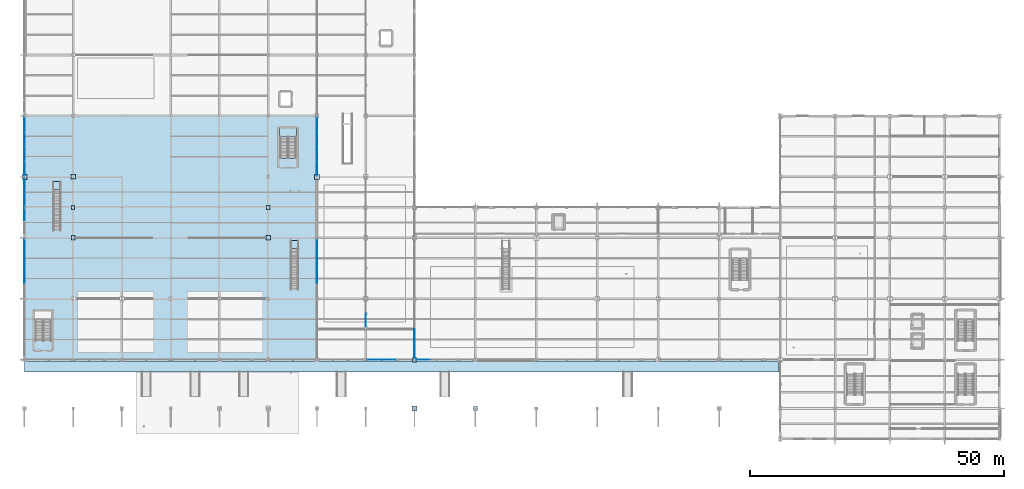
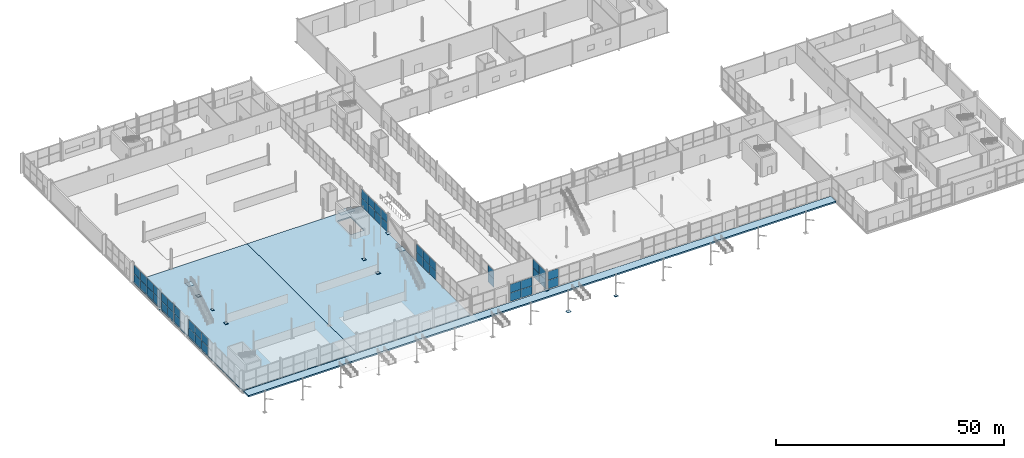
# One storey, part 146 of 196: 56 plates, 6 slabs, 12 elements without a shape of their own.
"""IFC4 building model written with IfcOpenShell, lengths in metres."""

from ifc_helpers import new_model, si_unit, direction, frame, origin, origin_2d, place, context, subcontext, project, spatial, polyline, rectangle, outline, extrude, material, layer, layer_set, type_object, element, aggregate, save


model = new_model("IFC4")

# Units and contexts
model_context = context("Model", 3, precision=1e-05, world=origin(), true_north=direction((0.0, 1.0)))
body_context = subcontext(model_context, "Body", "Model", "MODEL_VIEW")
ifc_project = project(units=[si_unit("LENGTHUNIT", "METRE"), si_unit("AREAUNIT", "SQUARE_METRE"), si_unit("VOLUMEUNIT", "CUBIC_METRE"), si_unit("PLANEANGLEUNIT", "RADIAN"), si_unit("MASSUNIT", "GRAM", prefix="KILO")], contexts=[model_context])

# Site, building, storey
site_placement = place(None, origin())
site = spatial("IfcSite", under=ifc_project, at=site_placement, CompositionType="ELEMENT")
building_placement = place(site_placement, origin())
building = spatial("IfcBuilding", under=site, at=building_placement, Name="Merenkruunu Market Hall", CompositionType="ELEMENT")
storey_placement = place(building_placement, origin())
storey = spatial("IfcBuildingStorey", under=building, at=storey_placement, Name="L00", CompositionType="ELEMENT", Elevation=0.0)

# Plates
ifc_material_1 = material(Name="Steel S355ML", Category="steel")
ifc_layer_1 = layer(ifc_material_1, 0.044921875)
ifc_layer_set_1 = layer_set([ifc_layer_1], Name="Steel S355ML")
plate_type_1 = type_object("IfcPlateType", Name="Column Base Plate BP01", PredefinedType="USERDEFINED", material=ifc_layer_set_1)
for number, where, z_axis, x_axis, name in (
    (1, (9.60009765625, 51.60009765625, 0.0), (0.0, 0.0, 1.0), (1.0, 0.0, 0.0), "PLT-BP-B-07"),
    (2, (48.0, 39.60009765625, 0.0), (0.0, 0.0, 1.0), (1.0, 0.0, 0.0), "PLT-BP-F-05"),
):
    element("IfcPlate", number, at=place(storey_placement, frame(where, z_axis=z_axis, x_axis=x_axis)), inside=storey, type_object=plate_type_1, Name=name, ObjectType="BASE_PLATE", PredefinedType="USERDEFINED", context=body_context, shape_type="SweptSolid", body=[
        extrude(rectangle(XDim=0.85009765625, YDim=0.85009765625, at=origin_2d()), origin(), (0.0, 0.0, 1.0), 0.044921875),
    ])
ifc_layer_2 = layer(ifc_material_1, 0.0400390625)
ifc_layer_set_2 = layer_set([ifc_layer_2], Name="Steel S355ML")
plate_type_2 = type_object("IfcPlateType", Name="Column Base Plate BP02", PredefinedType="USERDEFINED", material=ifc_layer_set_2)
for number, where, z_axis, x_axis, name in (
    (3, (48.0, 45.60009765625, 0.0), (0.0, 0.0, 1.0), (1.0, 0.0, 0.0), "PLT-BP-F-06"),
    (4, (88.800048828125, 6.0, 0.0), (0.0, 0.0, 1.0), (1.0, 0.0, 0.0), "PLT-BP-K-02"),
):
    element("IfcPlate", number, at=place(storey_placement, frame(where, z_axis=z_axis, x_axis=x_axis)), inside=storey, type_object=plate_type_2, Name=name, ObjectType="BASE_PLATE", PredefinedType="USERDEFINED", context=body_context, shape_type="SweptSolid", body=[
        extrude(rectangle(XDim=0.75, YDim=0.75, at=origin_2d()), origin(), (0.0, 0.0, 1.0), 0.0400390625),
    ])
ifc_layer_3 = layer(ifc_material_1, 0.050048828125)
ifc_layer_set_3 = layer_set([ifc_layer_3], Name="Steel S355ML")
plate_type_3 = type_object("IfcPlateType", Name="Column Base Plate BP06", PredefinedType="USERDEFINED", material=ifc_layer_set_3)
for number, where, z_axis, x_axis, name in (
    (5, (0.0, 51.60009765625, 0.0), (0.0, 0.0, 1.0), (1.0, 0.0, 0.0), "PLT-BP-A-07"),
    (6, (57.60009765625, 51.60009765625, 0.0), (0.0, 0.0, 1.0), (1.0, 0.0, 0.0), "PLT-BP-G-07"),
    (7, (76.800048828125, 6.0, 0.0), (0.0, 0.0, 1.0), (1.0, 0.0, 0.0), "PLT-BP-J-02"),
):
    element("IfcPlate", number, at=place(storey_placement, frame(where, z_axis=z_axis, x_axis=x_axis)), inside=storey, type_object=plate_type_3, Name=name, ObjectType="BASE_PLATE", PredefinedType="USERDEFINED", context=body_context, shape_type="SweptSolid", body=[
        extrude(rectangle(XDim=0.949951171875, YDim=0.949951171875, at=origin_2d()), origin(), (0.0, 0.0, 1.0), 0.050048828125),
    ])
ifc_layer_4 = layer(ifc_material_1, 0.0419921875)
ifc_layer_set_4 = layer_set([ifc_layer_4], Name="Steel S355ML")
plate_type_4 = type_object("IfcPlateType", Name="Column Base Plate BP07", PredefinedType="USERDEFINED", material=ifc_layer_set_4)
for number, where, z_axis, x_axis, name in (
    (8, (9.60009765625, 39.60009765625, 0.0), (0.0, 0.0, 1.0), (1.0, 0.0, 0.0), "PLT-BP-B-05"),
    (9, (76.800048828125, 15.60009765625, 0.0), (0.0, 0.0, 1.0), (1.0, 0.0, 0.0), "PLT-BP-J-03"),
):
    element("IfcPlate", number, at=place(storey_placement, frame(where, z_axis=z_axis, x_axis=x_axis)), inside=storey, type_object=plate_type_4, Name=name, ObjectType="BASE_PLATE", PredefinedType="USERDEFINED", context=body_context, shape_type="SweptSolid", body=[
        extrude(rectangle(XDim=0.699951171875, YDim=0.89990234375, at=origin_2d()), origin(), (0.0, 0.0, 1.0), 0.0419921875),
    ])
ifc_layer_5 = layer(ifc_material_1, 0.0380859375)
ifc_layer_set_5 = layer_set([ifc_layer_5], Name="Steel S355ML")
plate_type_5 = type_object("IfcPlateType", Name="Column Base Plate BP08", PredefinedType="USERDEFINED", material=ifc_layer_set_5)
plate_1_placement = place(storey_placement, frame((9.60009765625, 45.60009765625, 0.0), z_axis=(0.0, 0.0, 1.0), x_axis=(1.0, 0.0, 0.0)))
element("IfcPlate", 10, at=plate_1_placement, inside=storey, type_object=plate_type_5, Name="PLT-BP-B-06", ObjectType="BASE_PLATE", PredefinedType="USERDEFINED", context=body_context, shape_type="SweptSolid", body=[
    extrude(rectangle(XDim=0.60009765625, YDim=0.800048828125, at=origin_2d()), origin(), (0.0, 0.0, 1.0), 0.0380859375),
])

# Curtain wall, plates
ifc_material_2 = material(Name="Powder-coated aluminium", Category="aluminium")
curtain_wall_type_1 = type_object("IfcCurtainWallType", Name="Glazed Curtain Wall CW04", PredefinedType="USERDEFINED", material=ifc_material_2)
curtain_wall_1_placement = place(storey_placement, origin())
curtain_wall_1 = element("IfcCurtainWall", 11, at=curtain_wall_1_placement, inside=storey, type_object=curtain_wall_type_1, Name="CW-L00-CWM01-004", ObjectType="GLAZED_FACADE", PredefinedType="USERDEFINED")
ifc_material_3 = material(Name="Triple low-E insulated glass", Category="glass")
ifc_layer_6 = layer(ifc_material_3, 0.035888671875)
ifc_layer_set_6 = layer_set([ifc_layer_6], Name="Triple low-E insulated glass")
plate_type_6 = type_object("IfcPlateType", Name="Curtain Wall Glazing Panel CWP01", PredefinedType="CURTAIN_PANEL", material=ifc_layer_set_6)
plate_2_placement = place(storey_placement, frame((0.0, 32.169921875, 0.06005859375), z_axis=(0.0, 0.0, 1.0), x_axis=(0.0, 1.0, 0.0)))
plate_2 = element("IfcPlate", 12, at=plate_2_placement, type_object=plate_type_6, Name="CW04 panel 2.1", PredefinedType="CURTAIN_PANEL", context=body_context, shape_type="SweptSolid", body=[
    extrude(rectangle(XDim=2.800048828125, YDim=0.035888671875, at=origin_2d()), origin(), (0.0, 0.0, 1.0), 2.260009765625),
])
plate_3_placement = place(storey_placement, frame((0.0, 32.169921875, 2.3798828125), z_axis=(0.0, 0.0, 1.0), x_axis=(0.0, 1.0, 0.0)))
plate_3 = element("IfcPlate", 13, at=plate_3_placement, type_object=plate_type_6, Name="CW04 panel 2.2", PredefinedType="CURTAIN_PANEL", context=body_context, shape_type="SweptSolid", body=[
    extrude(rectangle(XDim=2.800048828125, YDim=0.035888671875, at=origin_2d()), origin(), (0.0, 0.0, 1.0), 2.260009765625),
])
plate_4_placement = place(storey_placement, frame((0.0, 35.030029296875, 0.06005859375), z_axis=(0.0, 0.0, 1.0), x_axis=(0.0, 1.0, 0.0)))
plate_4 = element("IfcPlate", 14, at=plate_4_placement, type_object=plate_type_6, Name="CW04 panel 3.1", PredefinedType="CURTAIN_PANEL", context=body_context, shape_type="SweptSolid", body=[
    extrude(rectangle(XDim=2.800048828125, YDim=0.035888671875, at=origin_2d()), origin(), (0.0, 0.0, 1.0), 2.260009765625),
])
plate_5_placement = place(storey_placement, frame((0.0, 35.030029296875, 2.3798828125), z_axis=(0.0, 0.0, 1.0), x_axis=(0.0, 1.0, 0.0)))
plate_5 = element("IfcPlate", 15, at=plate_5_placement, type_object=plate_type_6, Name="CW04 panel 3.2", PredefinedType="CURTAIN_PANEL", context=body_context, shape_type="SweptSolid", body=[
    extrude(rectangle(XDim=2.800048828125, YDim=0.035888671875, at=origin_2d()), origin(), (0.0, 0.0, 1.0), 2.260009765625),
])
plate_6_placement = place(storey_placement, frame((0.0, 37.875, 0.06005859375), z_axis=(0.0, 0.0, 1.0), x_axis=(0.0, 1.0, 0.0)))
plate_6 = element("IfcPlate", 16, at=plate_6_placement, type_object=plate_type_6, Name="CW04 panel 4.1", PredefinedType="CURTAIN_PANEL", context=body_context, shape_type="SweptSolid", body=[
    extrude(rectangle(XDim=2.77001953125, YDim=0.035888671875, at=origin_2d()), origin(), (0.0, 0.0, 1.0), 2.260009765625),
])
plate_7_placement = place(storey_placement, frame((0.0, 37.875, 2.3798828125), z_axis=(0.0, 0.0, 1.0), x_axis=(0.0, 1.0, 0.0)))
plate_7 = element("IfcPlate", 17, at=plate_7_placement, type_object=plate_type_6, Name="CW04 panel 4.2", PredefinedType="CURTAIN_PANEL", context=body_context, shape_type="SweptSolid", body=[
    extrude(rectangle(XDim=2.77001953125, YDim=0.035888671875, at=origin_2d()), origin(), (0.0, 0.0, 1.0), 2.260009765625),
])
aggregate(curtain_wall_1, [plate_2, plate_3, plate_4, plate_5, plate_6, plate_7])

curtain_wall_type_2 = type_object("IfcCurtainWallType", Name="Glazed Curtain Wall CW01", PredefinedType="USERDEFINED", material=ifc_material_2)
curtain_wall_2_placement = place(storey_placement, origin())
curtain_wall_2 = element("IfcCurtainWall", 18, at=curtain_wall_2_placement, inside=storey, type_object=curtain_wall_type_2, Name="CW-L00-CWM01-007", ObjectType="GLAZED_FACADE", PredefinedType="USERDEFINED")
plate_8_placement = place(storey_placement, frame((0.0, 44.443359375, 0.06005859375), z_axis=(0.0, 0.0, 1.0), x_axis=(0.0, 1.0, 0.0)))
plate_8 = element("IfcPlate", 19, at=plate_8_placement, type_object=plate_type_6, Name="CW01 panel 1.1", PredefinedType="CURTAIN_PANEL", context=body_context, shape_type="SweptSolid", body=[
    extrude(rectangle(XDim=2.666748046875, YDim=0.035888671875, at=origin_2d()), origin(), (0.0, 0.0, 1.0), 2.260009765625),
])
plate_9_placement = place(storey_placement, frame((0.0, 44.443359375, 2.3798828125), z_axis=(0.0, 0.0, 1.0), x_axis=(0.0, 1.0, 0.0)))
plate_9 = element("IfcPlate", 20, at=plate_9_placement, type_object=plate_type_6, Name="CW01 panel 1.2", PredefinedType="CURTAIN_PANEL", context=body_context, shape_type="SweptSolid", body=[
    extrude(rectangle(XDim=2.666748046875, YDim=0.035888671875, at=origin_2d()), origin(), (0.0, 0.0, 1.0), 2.260009765625),
])
plate_10_placement = place(storey_placement, frame((0.0, 47.18505859375, 0.06005859375), z_axis=(0.0, 0.0, 1.0), x_axis=(0.0, 1.0, 0.0)))
plate_10 = element("IfcPlate", 21, at=plate_10_placement, type_object=plate_type_6, Name="CW01 panel 2.1", PredefinedType="CURTAIN_PANEL", context=body_context, shape_type="SweptSolid", body=[
    extrude(rectangle(XDim=2.69677734375, YDim=0.035888671875, at=origin_2d()), origin(), (0.0, 0.0, 1.0), 2.260009765625),
])
plate_11_placement = place(storey_placement, frame((0.0, 47.18505859375, 2.3798828125), z_axis=(0.0, 0.0, 1.0), x_axis=(0.0, 1.0, 0.0)))
plate_11 = element("IfcPlate", 22, at=plate_11_placement, type_object=plate_type_6, Name="CW01 panel 2.2", PredefinedType="CURTAIN_PANEL", context=body_context, shape_type="SweptSolid", body=[
    extrude(rectangle(XDim=2.69677734375, YDim=0.035888671875, at=origin_2d()), origin(), (0.0, 0.0, 1.0), 2.260009765625),
])
plate_12_placement = place(storey_placement, frame((0.0, 49.9267578125, 0.06005859375), z_axis=(0.0, 0.0, 1.0), x_axis=(0.0, 1.0, 0.0)))
plate_12 = element("IfcPlate", 23, at=plate_12_placement, type_object=plate_type_6, Name="CW01 panel 3.1", PredefinedType="CURTAIN_PANEL", context=body_context, shape_type="SweptSolid", body=[
    extrude(rectangle(XDim=2.666748046875, YDim=0.035888671875, at=origin_2d()), origin(), (0.0, 0.0, 1.0), 2.260009765625),
])
plate_13_placement = place(storey_placement, frame((0.0, 49.9267578125, 2.3798828125), z_axis=(0.0, 0.0, 1.0), x_axis=(0.0, 1.0, 0.0)))
plate_13 = element("IfcPlate", 24, at=plate_13_placement, type_object=plate_type_6, Name="CW01 panel 3.2", PredefinedType="CURTAIN_PANEL", context=body_context, shape_type="SweptSolid", body=[
    extrude(rectangle(XDim=2.666748046875, YDim=0.035888671875, at=origin_2d()), origin(), (0.0, 0.0, 1.0), 2.260009765625),
])
aggregate(curtain_wall_2, [plate_8, plate_9, plate_10, plate_11, plate_12, plate_13])

curtain_wall_3_placement = place(storey_placement, origin())
curtain_wall_3 = element("IfcCurtainWall", 25, at=curtain_wall_3_placement, inside=storey, type_object=curtain_wall_type_1, Name="CW-L00-CWM01-010", ObjectType="GLAZED_FACADE", PredefinedType="USERDEFINED")
plate_14_placement = place(storey_placement, frame((0.0, 53.324951171875, 0.06005859375), z_axis=(0.0, 0.0, 1.0), x_axis=(0.0, 1.0, 0.0)))
plate_14 = element("IfcPlate", 26, at=plate_14_placement, type_object=plate_type_6, Name="CW04 panel 1.1", PredefinedType="CURTAIN_PANEL", context=body_context, shape_type="SweptSolid", body=[
    extrude(rectangle(XDim=2.77001953125, YDim=0.035888671875, at=origin_2d()), origin(), (0.0, 0.0, 1.0), 2.260009765625),
])
plate_15_placement = place(storey_placement, frame((0.0, 53.324951171875, 2.3798828125), z_axis=(0.0, 0.0, 1.0), x_axis=(0.0, 1.0, 0.0)))
plate_15 = element("IfcPlate", 27, at=plate_15_placement, type_object=plate_type_6, Name="CW04 panel 1.2", PredefinedType="CURTAIN_PANEL", context=body_context, shape_type="SweptSolid", body=[
    extrude(rectangle(XDim=2.77001953125, YDim=0.035888671875, at=origin_2d()), origin(), (0.0, 0.0, 1.0), 2.260009765625),
])
plate_16_placement = place(storey_placement, frame((0.0, 56.169921875, 0.06005859375), z_axis=(0.0, 0.0, 1.0), x_axis=(0.0, 1.0, 0.0)))
plate_16 = element("IfcPlate", 28, at=plate_16_placement, type_object=plate_type_6, Name="CW04 panel 2.1", PredefinedType="CURTAIN_PANEL", context=body_context, shape_type="SweptSolid", body=[
    extrude(rectangle(XDim=2.800048828125, YDim=0.035888671875, at=origin_2d()), origin(), (0.0, 0.0, 1.0), 2.260009765625),
])
plate_17_placement = place(storey_placement, frame((0.0, 56.169921875, 2.3798828125), z_axis=(0.0, 0.0, 1.0), x_axis=(0.0, 1.0, 0.0)))
plate_17 = element("IfcPlate", 29, at=plate_17_placement, type_object=plate_type_6, Name="CW04 panel 2.2", PredefinedType="CURTAIN_PANEL", context=body_context, shape_type="SweptSolid", body=[
    extrude(rectangle(XDim=2.800048828125, YDim=0.035888671875, at=origin_2d()), origin(), (0.0, 0.0, 1.0), 2.260009765625),
])
plate_18_placement = place(storey_placement, frame((0.0, 59.030029296875, 0.06005859375), z_axis=(0.0, 0.0, 1.0), x_axis=(0.0, 1.0, 0.0)))
plate_18 = element("IfcPlate", 30, at=plate_18_placement, type_object=plate_type_6, Name="CW04 panel 3.1", PredefinedType="CURTAIN_PANEL", context=body_context, shape_type="SweptSolid", body=[
    extrude(rectangle(XDim=2.800048828125, YDim=0.035888671875, at=origin_2d()), origin(), (0.0, 0.0, 1.0), 2.260009765625),
])
plate_19_placement = place(storey_placement, frame((0.0, 59.030029296875, 2.3798828125), z_axis=(0.0, 0.0, 1.0), x_axis=(0.0, 1.0, 0.0)))
plate_19 = element("IfcPlate", 31, at=plate_19_placement, type_object=plate_type_6, Name="CW04 panel 3.2", PredefinedType="CURTAIN_PANEL", context=body_context, shape_type="SweptSolid", body=[
    extrude(rectangle(XDim=2.800048828125, YDim=0.035888671875, at=origin_2d()), origin(), (0.0, 0.0, 1.0), 2.260009765625),
])
plate_20_placement = place(storey_placement, frame((0.0, 61.875, 0.06005859375), z_axis=(0.0, 0.0, 1.0), x_axis=(0.0, 1.0, 0.0)))
plate_20 = element("IfcPlate", 32, at=plate_20_placement, type_object=plate_type_6, Name="CW04 panel 4.1", PredefinedType="CURTAIN_PANEL", context=body_context, shape_type="SweptSolid", body=[
    extrude(rectangle(XDim=2.77001953125, YDim=0.035888671875, at=origin_2d()), origin(), (0.0, 0.0, 1.0), 2.260009765625),
])
plate_21_placement = place(storey_placement, frame((0.0, 61.875, 2.3798828125), z_axis=(0.0, 0.0, 1.0), x_axis=(0.0, 1.0, 0.0)))
plate_21 = element("IfcPlate", 33, at=plate_21_placement, type_object=plate_type_6, Name="CW04 panel 4.2", PredefinedType="CURTAIN_PANEL", context=body_context, shape_type="SweptSolid", body=[
    extrude(rectangle(XDim=2.77001953125, YDim=0.035888671875, at=origin_2d()), origin(), (0.0, 0.0, 1.0), 2.260009765625),
])
aggregate(curtain_wall_3, [plate_14, plate_15, plate_16, plate_17, plate_18, plate_19, plate_20, plate_21])

curtain_wall_type_3 = type_object("IfcCurtainWallType", Name="Glazed Curtain Wall CW06", PredefinedType="USERDEFINED", material=ifc_material_2)
curtain_wall_4_placement = place(storey_placement, origin())
curtain_wall_4 = element("IfcCurtainWall", 34, at=curtain_wall_4_placement, inside=storey, type_object=curtain_wall_type_3, Name="CW-L00-CWM01-145", ObjectType="GLAZED_FACADE", PredefinedType="USERDEFINED")
plate_22_placement = place(storey_placement, frame((71.7548828125, 15.60009765625, 0.06005859375), z_axis=(0.0, 0.0, 1.0), x_axis=(-1.0, 0.0, 0.0)))
plate_22 = element("IfcPlate", 35, at=plate_22_placement, type_object=plate_type_6, Name="CW06 panel 1.1", PredefinedType="CURTAIN_PANEL", context=body_context, shape_type="SweptSolid", body=[
    extrude(rectangle(XDim=2.77001953125, YDim=0.035888671875, at=origin_2d()), origin(), (0.0, 0.0, 1.0), 2.260009765625),
])
plate_23_placement = place(storey_placement, frame((71.7548828125, 15.60009765625, 2.3798828125), z_axis=(0.0, 0.0, 1.0), x_axis=(-1.0, 0.0, 0.0)))
plate_23 = element("IfcPlate", 36, at=plate_23_placement, type_object=plate_type_6, Name="CW06 panel 1.2", PredefinedType="CURTAIN_PANEL", context=body_context, shape_type="SweptSolid", body=[
    extrude(rectangle(XDim=2.77001953125, YDim=0.035888671875, at=origin_2d()), origin(), (0.0, 0.0, 1.0), 2.260009765625),
])
plate_24_placement = place(storey_placement, frame((68.925048828125, 15.60009765625, 0.06005859375), z_axis=(0.0, 0.0, 1.0), x_axis=(-1.0, 0.0, 0.0)))
plate_24 = element("IfcPlate", 37, at=plate_24_placement, type_object=plate_type_6, Name="CW06 panel 2.1", PredefinedType="CURTAIN_PANEL", context=body_context, shape_type="SweptSolid", body=[
    extrude(rectangle(XDim=2.77001953125, YDim=0.035888671875, at=origin_2d()), origin(), (0.0, 0.0, 1.0), 2.260009765625),
])
plate_25_placement = place(storey_placement, frame((68.925048828125, 15.60009765625, 2.3798828125), z_axis=(0.0, 0.0, 1.0), x_axis=(-1.0, 0.0, 0.0)))
plate_25 = element("IfcPlate", 38, at=plate_25_placement, type_object=plate_type_6, Name="CW06 panel 2.2", PredefinedType="CURTAIN_PANEL", context=body_context, shape_type="SweptSolid", body=[
    extrude(rectangle(XDim=2.77001953125, YDim=0.035888671875, at=origin_2d()), origin(), (0.0, 0.0, 1.0), 2.260009765625),
])
aggregate(curtain_wall_4, [plate_22, plate_23, plate_24, plate_25])

curtain_wall_type_4 = type_object("IfcCurtainWallType", Name="Glazed Curtain Wall CW02", PredefinedType="USERDEFINED", material=ifc_material_2)
curtain_wall_5_placement = place(storey_placement, origin())
curtain_wall_5 = element("IfcCurtainWall", 39, at=curtain_wall_5_placement, inside=storey, type_object=curtain_wall_type_4, Name="CW-L00-CWM01-124", ObjectType="GLAZED_FACADE", PredefinedType="USERDEFINED")
ifc_layer_7 = layer(ifc_material_3, 0.0380859375)
ifc_layer_set_7 = layer_set([ifc_layer_7], Name="Triple low-E insulated glass")
plate_type_7 = type_object("IfcPlateType", Name="Curtain Wall Glazing Panel CWP03", PredefinedType="CURTAIN_PANEL", material=ifc_layer_set_7)
plate_26_placement = place(storey_placement, frame((57.60009765625, 32.169921875, 0.06005859375), z_axis=(0.0, 0.0, 1.0), x_axis=(0.0, 1.0, 0.0)))
plate_26 = element("IfcPlate", 40, at=plate_26_placement, type_object=plate_type_7, Name="CW02 panel 2.1", PredefinedType="CURTAIN_PANEL", context=body_context, shape_type="SweptSolid", body=[
    extrude(rectangle(XDim=2.800048828125, YDim=0.0380859375, at=origin_2d()), origin(), (0.0, 0.0, 1.0), 2.284912109375),
])
plate_27_placement = place(storey_placement, frame((57.60009765625, 32.169921875, 2.4052734375), z_axis=(0.0, 0.0, 1.0), x_axis=(0.0, 1.0, 0.0)))
plate_27 = element("IfcPlate", 41, at=plate_27_placement, type_object=plate_type_7, Name="CW02 panel 2.2", PredefinedType="CURTAIN_PANEL", context=body_context, shape_type="SweptSolid", body=[
    extrude(rectangle(XDim=2.800048828125, YDim=0.0380859375, at=origin_2d()), origin(), (0.0, 0.0, 1.0), 2.284912109375),
])
plate_28_placement = place(storey_placement, frame((57.60009765625, 35.030029296875, 0.06005859375), z_axis=(0.0, 0.0, 1.0), x_axis=(0.0, 1.0, 0.0)))
plate_28 = element("IfcPlate", 42, at=plate_28_placement, type_object=plate_type_7, Name="CW02 panel 3.1", PredefinedType="CURTAIN_PANEL", context=body_context, shape_type="SweptSolid", body=[
    extrude(rectangle(XDim=2.800048828125, YDim=0.0380859375, at=origin_2d()), origin(), (0.0, 0.0, 1.0), 2.284912109375),
])
plate_29_placement = place(storey_placement, frame((57.60009765625, 35.030029296875, 2.4052734375), z_axis=(0.0, 0.0, 1.0), x_axis=(0.0, 1.0, 0.0)))
plate_29 = element("IfcPlate", 43, at=plate_29_placement, type_object=plate_type_7, Name="CW02 panel 3.2", PredefinedType="CURTAIN_PANEL", context=body_context, shape_type="SweptSolid", body=[
    extrude(rectangle(XDim=2.800048828125, YDim=0.0380859375, at=origin_2d()), origin(), (0.0, 0.0, 1.0), 2.284912109375),
])
plate_30_placement = place(storey_placement, frame((57.60009765625, 37.875, 0.06005859375), z_axis=(0.0, 0.0, 1.0), x_axis=(0.0, 1.0, 0.0)))
plate_30 = element("IfcPlate", 44, at=plate_30_placement, type_object=plate_type_7, Name="CW02 panel 4.1", PredefinedType="CURTAIN_PANEL", context=body_context, shape_type="SweptSolid", body=[
    extrude(rectangle(XDim=2.77001953125, YDim=0.0380859375, at=origin_2d()), origin(), (0.0, 0.0, 1.0), 2.284912109375),
])
plate_31_placement = place(storey_placement, frame((57.60009765625, 37.875, 2.4052734375), z_axis=(0.0, 0.0, 1.0), x_axis=(0.0, 1.0, 0.0)))
plate_31 = element("IfcPlate", 45, at=plate_31_placement, type_object=plate_type_7, Name="CW02 panel 4.2", PredefinedType="CURTAIN_PANEL", context=body_context, shape_type="SweptSolid", body=[
    extrude(rectangle(XDim=2.77001953125, YDim=0.0380859375, at=origin_2d()), origin(), (0.0, 0.0, 1.0), 2.284912109375),
])
aggregate(curtain_wall_5, [plate_26, plate_27, plate_28, plate_29, plate_30, plate_31])

curtain_wall_6_placement = place(storey_placement, origin())
curtain_wall_6 = element("IfcCurtainWall", 46, at=curtain_wall_6_placement, inside=storey, type_object=curtain_wall_type_4, Name="CW-L00-CWM01-127", ObjectType="GLAZED_FACADE", PredefinedType="USERDEFINED")
plate_32_placement = place(storey_placement, frame((57.60009765625, 53.324951171875, 0.06005859375), z_axis=(0.0, 0.0, 1.0), x_axis=(0.0, 1.0, 0.0)))
plate_32 = element("IfcPlate", 47, at=plate_32_placement, type_object=plate_type_7, Name="CW02 panel 1.1", PredefinedType="CURTAIN_PANEL", context=body_context, shape_type="SweptSolid", body=[
    extrude(rectangle(XDim=2.77001953125, YDim=0.0380859375, at=origin_2d()), origin(), (0.0, 0.0, 1.0), 2.284912109375),
])
plate_33_placement = place(storey_placement, frame((57.60009765625, 53.324951171875, 2.4052734375), z_axis=(0.0, 0.0, 1.0), x_axis=(0.0, 1.0, 0.0)))
plate_33 = element("IfcPlate", 48, at=plate_33_placement, type_object=plate_type_7, Name="CW02 panel 1.2", PredefinedType="CURTAIN_PANEL", context=body_context, shape_type="SweptSolid", body=[
    extrude(rectangle(XDim=2.77001953125, YDim=0.0380859375, at=origin_2d()), origin(), (0.0, 0.0, 1.0), 2.284912109375),
])
plate_34_placement = place(storey_placement, frame((57.60009765625, 56.169921875, 0.06005859375), z_axis=(0.0, 0.0, 1.0), x_axis=(0.0, 1.0, 0.0)))
plate_34 = element("IfcPlate", 49, at=plate_34_placement, type_object=plate_type_7, Name="CW02 panel 2.1", PredefinedType="CURTAIN_PANEL", context=body_context, shape_type="SweptSolid", body=[
    extrude(rectangle(XDim=2.800048828125, YDim=0.0380859375, at=origin_2d()), origin(), (0.0, 0.0, 1.0), 2.284912109375),
])
plate_35_placement = place(storey_placement, frame((57.60009765625, 56.169921875, 2.4052734375), z_axis=(0.0, 0.0, 1.0), x_axis=(0.0, 1.0, 0.0)))
plate_35 = element("IfcPlate", 50, at=plate_35_placement, type_object=plate_type_7, Name="CW02 panel 2.2", PredefinedType="CURTAIN_PANEL", context=body_context, shape_type="SweptSolid", body=[
    extrude(rectangle(XDim=2.800048828125, YDim=0.0380859375, at=origin_2d()), origin(), (0.0, 0.0, 1.0), 2.284912109375),
])
plate_36_placement = place(storey_placement, frame((57.60009765625, 59.030029296875, 0.06005859375), z_axis=(0.0, 0.0, 1.0), x_axis=(0.0, 1.0, 0.0)))
plate_36 = element("IfcPlate", 51, at=plate_36_placement, type_object=plate_type_7, Name="CW02 panel 3.1", PredefinedType="CURTAIN_PANEL", context=body_context, shape_type="SweptSolid", body=[
    extrude(rectangle(XDim=2.800048828125, YDim=0.0380859375, at=origin_2d()), origin(), (0.0, 0.0, 1.0), 2.284912109375),
])
plate_37_placement = place(storey_placement, frame((57.60009765625, 59.030029296875, 2.4052734375), z_axis=(0.0, 0.0, 1.0), x_axis=(0.0, 1.0, 0.0)))
plate_37 = element("IfcPlate", 52, at=plate_37_placement, type_object=plate_type_7, Name="CW02 panel 3.2", PredefinedType="CURTAIN_PANEL", context=body_context, shape_type="SweptSolid", body=[
    extrude(rectangle(XDim=2.800048828125, YDim=0.0380859375, at=origin_2d()), origin(), (0.0, 0.0, 1.0), 2.284912109375),
])
plate_38_placement = place(storey_placement, frame((57.60009765625, 61.875, 0.06005859375), z_axis=(0.0, 0.0, 1.0), x_axis=(0.0, 1.0, 0.0)))
plate_38 = element("IfcPlate", 53, at=plate_38_placement, type_object=plate_type_7, Name="CW02 panel 4.1", PredefinedType="CURTAIN_PANEL", context=body_context, shape_type="SweptSolid", body=[
    extrude(rectangle(XDim=2.77001953125, YDim=0.0380859375, at=origin_2d()), origin(), (0.0, 0.0, 1.0), 2.284912109375),
])
plate_39_placement = place(storey_placement, frame((57.60009765625, 61.875, 2.4052734375), z_axis=(0.0, 0.0, 1.0), x_axis=(0.0, 1.0, 0.0)))
plate_39 = element("IfcPlate", 54, at=plate_39_placement, type_object=plate_type_7, Name="CW02 panel 4.2", PredefinedType="CURTAIN_PANEL", context=body_context, shape_type="SweptSolid", body=[
    extrude(rectangle(XDim=2.77001953125, YDim=0.0380859375, at=origin_2d()), origin(), (0.0, 0.0, 1.0), 2.284912109375),
])
aggregate(curtain_wall_6, [plate_32, plate_33, plate_34, plate_35, plate_36, plate_37, plate_38, plate_39])

curtain_wall_7_placement = place(storey_placement, origin())
curtain_wall_7 = element("IfcCurtainWall", 55, at=curtain_wall_7_placement, inside=storey, type_object=curtain_wall_type_3, Name="CW-L00-CWM01-180", ObjectType="GLAZED_FACADE", PredefinedType="USERDEFINED")
plate_40_placement = place(storey_placement, frame((78.4482421875, 15.60009765625, 0.06005859375), z_axis=(0.0, 0.0, 1.0), x_axis=(-1.0, 0.0, 0.0)))
plate_40 = element("IfcPlate", 56, at=plate_40_placement, type_object=plate_type_7, Name="CW06 panel 3.1", PredefinedType="CURTAIN_PANEL", context=body_context, shape_type="SweptSolid", body=[
    extrude(rectangle(XDim=2.61669921875, YDim=0.0380859375, at=origin_2d()), origin(), (0.0, 0.0, 1.0), 2.284912109375),
])
plate_41_placement = place(storey_placement, frame((78.4482421875, 15.60009765625, 2.4052734375), z_axis=(0.0, 0.0, 1.0), x_axis=(-1.0, 0.0, 0.0)))
plate_41 = element("IfcPlate", 57, at=plate_41_placement, type_object=plate_type_7, Name="CW06 panel 3.2", PredefinedType="CURTAIN_PANEL", context=body_context, shape_type="SweptSolid", body=[
    extrude(rectangle(XDim=2.61669921875, YDim=0.0380859375, at=origin_2d()), origin(), (0.0, 0.0, 1.0), 2.284912109375),
])
aggregate(curtain_wall_7, [plate_40, plate_41])

curtain_wall_type_5 = type_object("IfcCurtainWallType", Name="Glazed Curtain Wall CW05", PredefinedType="USERDEFINED", material=ifc_material_2)
curtain_wall_8_placement = place(storey_placement, origin())
curtain_wall_8 = element("IfcCurtainWall", 58, at=curtain_wall_8_placement, inside=storey, type_object=curtain_wall_type_5, Name="CW-L00-CWM01-151", ObjectType="GLAZED_FACADE", PredefinedType="USERDEFINED")
ifc_layer_8 = layer(ifc_material_3, 0.0380859375)
ifc_layer_set_8 = layer_set([ifc_layer_8], Name="Triple low-E insulated glass")
plate_type_8 = type_object("IfcPlateType", Name="Curtain Wall Glazing Panel CWP04", PredefinedType="CURTAIN_PANEL", material=ifc_layer_set_8)
plate_42_placement = place(storey_placement, frame((76.800048828125, 17.324951171875, 0.06005859375), z_axis=(0.0, 0.0, 1.0), x_axis=(0.0, 1.0, 0.0)))
plate_42 = element("IfcPlate", 59, at=plate_42_placement, type_object=plate_type_8, Name="CW05 panel 1.1", PredefinedType="CURTAIN_PANEL", context=body_context, shape_type="SweptSolid", body=[
    extrude(rectangle(XDim=2.77001953125, YDim=0.0380859375, at=origin_2d()), origin(), (0.0, 0.0, 1.0), 2.284912109375),
])
plate_43_placement = place(storey_placement, frame((76.800048828125, 17.324951171875, 2.4052734375), z_axis=(0.0, 0.0, 1.0), x_axis=(0.0, 1.0, 0.0)))
plate_43 = element("IfcPlate", 60, at=plate_43_placement, type_object=plate_type_8, Name="CW05 panel 1.2", PredefinedType="CURTAIN_PANEL", context=body_context, shape_type="SweptSolid", body=[
    extrude(rectangle(XDim=2.77001953125, YDim=0.0380859375, at=origin_2d()), origin(), (0.0, 0.0, 1.0), 2.284912109375),
])
plate_44_placement = place(storey_placement, frame((76.800048828125, 20.169921875, 0.06005859375), z_axis=(0.0, 0.0, 1.0), x_axis=(0.0, 1.0, 0.0)))
plate_44 = element("IfcPlate", 61, at=plate_44_placement, type_object=plate_type_8, Name="CW05 panel 2.1", PredefinedType="CURTAIN_PANEL", context=body_context, shape_type="SweptSolid", body=[
    extrude(rectangle(XDim=2.800048828125, YDim=0.0380859375, at=origin_2d()), origin(), (0.0, 0.0, 1.0), 2.284912109375),
])
plate_45_placement = place(storey_placement, frame((76.800048828125, 20.169921875, 2.4052734375), z_axis=(0.0, 0.0, 1.0), x_axis=(0.0, 1.0, 0.0)))
plate_45 = element("IfcPlate", 62, at=plate_45_placement, type_object=plate_type_8, Name="CW05 panel 2.2", PredefinedType="CURTAIN_PANEL", context=body_context, shape_type="SweptSolid", body=[
    extrude(rectangle(XDim=2.800048828125, YDim=0.0380859375, at=origin_2d()), origin(), (0.0, 0.0, 1.0), 2.284912109375),
])
aggregate(curtain_wall_8, [plate_42, plate_43, plate_44, plate_45])

curtain_wall_type_6 = type_object("IfcCurtainWallType", Name="Glazed Curtain Wall CW15", PredefinedType="USERDEFINED", material=ifc_material_2)
curtain_wall_9_placement = place(storey_placement, origin())
curtain_wall_9 = element("IfcCurtainWall", 63, at=curtain_wall_9_placement, inside=storey, type_object=curtain_wall_type_6, Name="CW-L00-CWM01-168", ObjectType="GLAZED_FACADE", PredefinedType="USERDEFINED")
ifc_layer_9 = layer(ifc_material_3, 0.035888671875)
ifc_layer_set_9 = layer_set([ifc_layer_9], Name="Triple low-E insulated glass")
plate_type_9 = type_object("IfcPlateType", Name="Curtain Wall Glazing Panel CWP09", PredefinedType="CURTAIN_PANEL", material=ifc_layer_set_9)
plate_46_placement = place(storey_placement, frame((67.199951171875, 23.344970703125, 0.06005859375), z_axis=(0.0, 0.0, 1.0), x_axis=(0.0, 1.0, 0.0)))
plate_46 = element("IfcPlate", 64, at=plate_46_placement, type_object=plate_type_9, Name="CW15 panel 1.1", PredefinedType="CURTAIN_PANEL", context=body_context, shape_type="SweptSolid", body=[
    extrude(rectangle(XDim=2.570068359375, YDim=0.035888671875, at=origin_2d()), origin(), (0.0, 0.0, 1.0), 2.235107421875),
])
plate_47_placement = place(storey_placement, frame((67.199951171875, 23.344970703125, 2.35498046875), z_axis=(0.0, 0.0, 1.0), x_axis=(0.0, 1.0, 0.0)))
plate_47 = element("IfcPlate", 65, at=plate_47_placement, type_object=plate_type_9, Name="CW15 panel 1.2", PredefinedType="CURTAIN_PANEL", context=body_context, shape_type="SweptSolid", body=[
    extrude(rectangle(XDim=2.570068359375, YDim=0.035888671875, at=origin_2d()), origin(), (0.0, 0.0, 1.0), 2.235107421875),
])
aggregate(curtain_wall_9, [plate_46, plate_47])

# Slab
ifc_material_4 = material(Name="Concrete C35/45", Category="concrete")
ifc_layer_10 = layer(ifc_material_4, 0.39990234375)
ifc_layer_set_10 = layer_set([ifc_layer_10], Name="Concrete C35/45")
slab_type_1 = type_object("IfcSlabType", Name="Exterior Apron Slab FS07", PredefinedType="FLOOR", material=ifc_layer_set_10)
slab_1_placement = place(storey_placement, frame((0.0, 0.0, -0.39990234375)))
element("IfcSlab", 66, at=slab_1_placement, inside=storey, type_object=slab_type_1, Name="SL-L00-APRON-S", PredefinedType="FLOOR", context=body_context, shape_type="SweptSolid", body=[
    extrude(outline(polyline([(0.0, 13.179931640625), (148.60009765625, 13.179931640625), (148.60009765625, 15.39990234375), (0.0, 15.39990234375), (0.0, 13.179931640625)])), origin(), (0.0, 0.0, 1.0), 0.39990234375),
])

# Stair, slab
stair_type_1 = type_object("IfcStairType", Name="Two Flight Half Turn Stair ST02", PredefinedType="TWO_STRAIGHT_RUN_STAIR", material=ifc_material_4)
stair_1_placement = place(storey_placement, origin())
stair_1 = element("IfcStair", 67, at=stair_1_placement, inside=storey, type_object=stair_type_1, Name="Protected Stair ST05 (K3 L00-L01)", PredefinedType="TWO_STRAIGHT_RUN_STAIR")
ifc_layer_11 = layer(ifc_material_4, 0.18994140625)
ifc_layer_set_11 = layer_set([ifc_layer_11], Name="Concrete C35/45")
slab_type_2 = type_object("IfcSlabType", Name="Stair Half Landing LS01", PredefinedType="LANDING", material=ifc_layer_set_11)
slab_2_placement = place(storey_placement, frame((0.0, 0.0, 2.510009765625)))
slab_2 = element("IfcSlab", 68, at=slab_2_placement, type_object=slab_type_2, Name="ST05 landing 1", PredefinedType="LANDING", context=body_context, shape_type="SweptSolid", body=[
    extrude(outline(polyline([(50.18505859375, 59.43994140625), (53.614990234375, 59.43994140625), (53.614990234375, 61.215087890625), (50.18505859375, 61.215087890625), (50.18505859375, 59.43994140625)])), origin(), (0.0, 0.0, 1.0), 0.18994140625),
])
aggregate(stair_1, [slab_2])

ifc_material_5 = material(Name="Steel S355J2", Category="steel")
stair_type_2 = type_object("IfcStairType", Name="Single Run Feature Stair FST01", PredefinedType="STRAIGHT_RUN_STAIR", material=ifc_material_5)
stair_2_placement = place(storey_placement, origin())
stair_2 = element("IfcStair", 69, at=stair_2_placement, inside=storey, type_object=stair_type_2, Name="Public Feature Stair FST02 (L00-L01)", PredefinedType="STRAIGHT_RUN_STAIR")
ifc_layer_12 = layer(ifc_material_5, 0.14990234375)
ifc_layer_set_12 = layer_set([ifc_layer_12], Name="Steel S355J2")
slab_type_3 = type_object("IfcSlabType", Name="Stair Half Landing LS02", PredefinedType="LANDING", material=ifc_layer_set_12)
slab_3_placement = place(storey_placement, frame((0.0, 0.0, 5.25)))
slab_3 = element("IfcSlab", 70, at=slab_3_placement, type_object=slab_type_3, Name="FST02 landing 1", PredefinedType="LANDING", context=body_context, shape_type="SweptSolid", body=[
    extrude(outline(polyline([(5.64990234375, 49.10009765625), (7.14990234375, 49.10009765625), (7.14990234375, 50.64501953125), (5.64990234375, 50.64501953125), (5.64990234375, 49.10009765625)])), origin(), (0.0, 0.0, 1.0), 0.14990234375),
])
aggregate(stair_2, [slab_3])

stair_3_placement = place(storey_placement, origin())
stair_3 = element("IfcStair", 71, at=stair_3_placement, inside=storey, type_object=stair_type_2, Name="Public Feature Stair FST03 (L00-L01)", PredefinedType="STRAIGHT_RUN_STAIR")
slab_4_placement = place(storey_placement, frame((0.0, 0.0, 5.25)))
slab_4 = element("IfcSlab", 72, at=slab_4_placement, type_object=slab_type_3, Name="FST03 landing 1", PredefinedType="LANDING", context=body_context, shape_type="SweptSolid", body=[
    extrude(outline(polyline([(52.449951171875, 37.5), (53.949951171875, 37.5), (53.949951171875, 39.044921875), (52.449951171875, 39.044921875), (52.449951171875, 37.5)])), origin(), (0.0, 0.0, 1.0), 0.14990234375),
])
aggregate(stair_3, [slab_4])

# Slabs
ifc_layer_13 = layer(ifc_material_4, 0.340087890625)
ifc_layer_set_13 = layer_set([ifc_layer_13], Name="Concrete C35/45")
slab_type_4 = type_object("IfcSlabType", Name="Suspended Floor Slab FS01", PredefinedType="FLOOR", material=ifc_layer_set_13)
slab_5_placement = place(storey_placement, frame((0.0, 0.0, -0.340087890625)))
element("IfcSlab", 73, at=slab_5_placement, inside=storey, type_object=slab_type_4, Name="SL-L00-V1A", PredefinedType="FLOOR", context=body_context, shape_type="SweptSolid", body=[
    extrude(outline(polyline([(0.0, 15.60009765625), (28.800048828125, 15.60009765625), (28.800048828125, 63.60009765625), (0.0, 63.60009765625), (0.0, 15.60009765625)])), origin(), (0.0, 0.0, 1.0), 0.340087890625),
])
slab_6_placement = place(storey_placement, frame((0.0, 0.0, -0.340087890625)))
element("IfcSlab", 74, at=slab_6_placement, inside=storey, type_object=slab_type_4, Name="SL-L00-V1B", PredefinedType="FLOOR", context=body_context, shape_type="SweptSolid", body=[
    extrude(outline(polyline([(28.800048828125, 15.60009765625), (57.60009765625, 15.60009765625), (57.60009765625, 63.60009765625), (28.800048828125, 63.60009765625), (28.800048828125, 15.60009765625)]), holes=[polyline([(50.18994140625, 55.260009765625), (53.610107421875, 55.260009765625), (53.610107421875, 61.2099609375), (50.18994140625, 61.2099609375), (50.18994140625, 55.260009765625)])]), origin(), (0.0, 0.0, 1.0), 0.340087890625),
])

save(model, "model.ifc")
